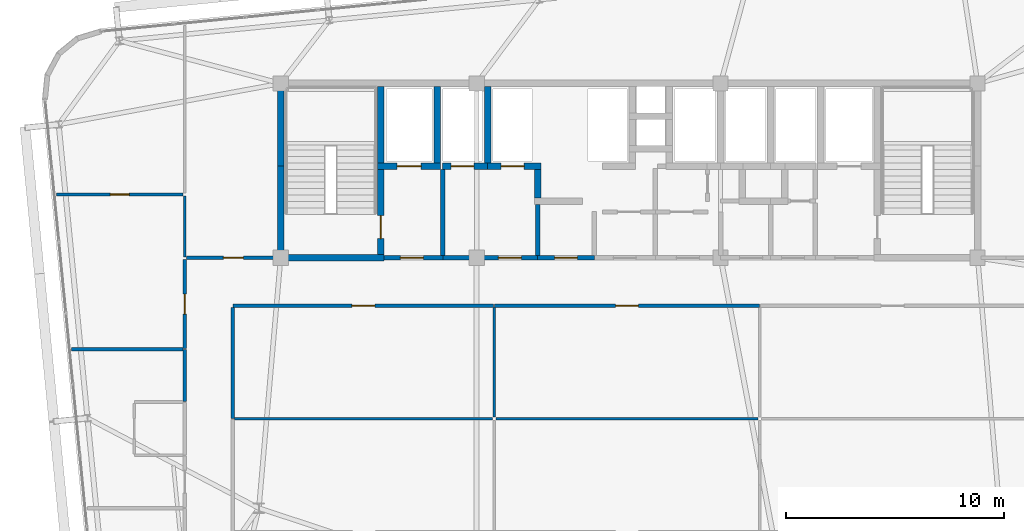
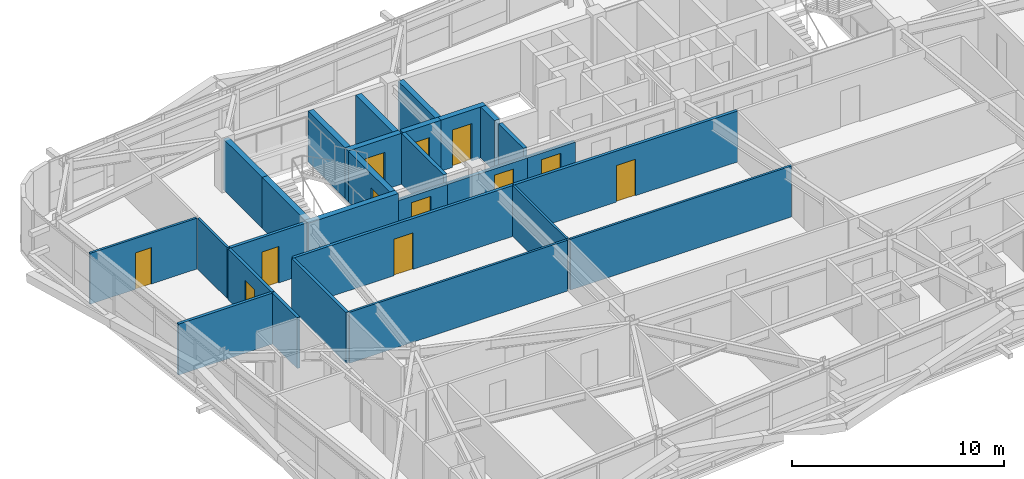
# One storey, part 47 of 54: 28 walls, 12 doors, 12 openings.
"""IFC4 building model written with IfcOpenShell, lengths in metres."""

from ifc_helpers import new_model, si_unit, direction, frame, frame_2d, origin, place, context, subcontext, project, spatial, rectangle, extrude, source, transform, mapped, material, layer, layer_set, type_object, element, fill, save


model = new_model("IFC4")

# Units and contexts
model_context = context("Model", 3, precision=1e-05, world=origin(), true_north=direction((0.0, 1.0)))
body_context = subcontext(model_context, "Body", "Model", "MODEL_VIEW")
ifc_project = project(units=[si_unit("LENGTHUNIT", "METRE"), si_unit("AREAUNIT", "SQUARE_METRE"), si_unit("VOLUMEUNIT", "CUBIC_METRE"), si_unit("PLANEANGLEUNIT", "RADIAN"), si_unit("MASSUNIT", "GRAM", prefix="KILO")], contexts=[model_context])

# Site, building, storey
site_placement = place(None, origin())
site = spatial("IfcSite", under=ifc_project, at=site_placement, CompositionType="ELEMENT")
building_placement = place(site_placement, origin())
building = spatial("IfcBuilding", under=site, at=building_placement, Name="Taldren Reach Tower", CompositionType="ELEMENT")
storey_placement = place(building_placement, frame((0.0, 0.0, 99.75)))
storey = spatial("IfcBuildingStorey", under=building, at=storey_placement, Name="L30", CompositionType="ELEMENT", Elevation=99.75)

# Wall, opening, door
ifc_material_1 = material(Name="Concrete S50 (50 MPa)", Category="concrete")
ifc_layer_1 = layer(ifc_material_1, 0.199951171875)
ifc_layer_set_1 = layer_set([ifc_layer_1], Name="Concrete S50 (50 MPa)")
wall_type_1 = type_object("IfcWallType", Name="IW-CORE-200", PredefinedType="SOLIDWALL", material=ifc_layer_set_1)
shared_shape_1 = source(origin(), body_context, "Body", "SweptSolid", [
    extrude(rectangle(XDim=4.35009765625, YDim=0.199951171875, at=frame_2d((2.175048828125, 0.0))), origin(), (0.0, 0.0, 1.0), 2.469970703125),
])
wall_1_placement = place(storey_placement, frame((30.800048828125, 24.0, 0.0), z_axis=(0.0, 0.0, 1.0), x_axis=(-1.0, 0.0, 0.0)))
wall_1 = element("IfcWall", 1, at=wall_1_placement, inside=storey, type_object=wall_type_1, Name="Rear Core Shear Wall W-INT-L30-034", PredefinedType="SOLIDWALL", context=body_context, shape_type="MappedRepresentation", body=[
    mapped(shared_shape_1, transform((0.0, 0.0, 0.0), scale=1.0)),
])
shared_shape_2 = source(origin(), body_context, "Body", "SweptSolid", [
    extrude(rectangle(XDim=1.050048828125, YDim=2.10009765625, at=frame_2d((0.52490234375, 1.050048828125))), frame((0.0, 0.10986328125, 0.0), z_axis=(0.0, -1.0, 0.0), x_axis=(1.0, 0.0, 0.0)), (0.0, 0.0, 1.0), 0.219970703125),
])
opening_1_placement = place(wall_1_placement, frame((0.75, 0.0, 0.0)))
opening_1 = element("IfcOpeningElement", 2, at=opening_1_placement, cuts=wall_1, Name="Opening DF-105", PredefinedType="OPENING", context=body_context, shape_type="MappedRepresentation", body=[
    mapped(shared_shape_2, transform((0.0, 0.0, 0.0), scale=1.0)),
])
ifc_material_2 = material(Name="Fire-Rated Care and Stair Exit Door")
door_type_1 = type_object("IfcDoorType", Name="ID-FIRE-105", OperationType="NOTDEFINED", PredefinedType="DOOR", material=ifc_material_2)
shared_shape_3 = source(origin(), body_context, "Body", "SweptSolid", [
    extrude(rectangle(XDim=1.050048828125, YDim=2.10009765625, at=frame_2d((0.52490234375, 1.050048828125))), frame((0.0, 0.02490234375, 0.0), z_axis=(0.0, -1.0, 0.0), x_axis=(1.0, 0.0, 0.0)), (0.0, 0.0, 1.0), 0.050048828125),
])
door_1_placement = place(opening_1_placement, frame((1.050048828125, 0.0, 0.0), z_axis=(0.0, 0.0, 1.0), x_axis=(-1.0, 0.0, 0.0)))
door_1 = element("IfcDoor", 3, at=door_1_placement, inside=storey, type_object=door_type_1, Name="Interior Door DR-L30-005", OperationType="SINGLE_SWING_RIGHT", OverallHeight=2.10009765625, OverallWidth=1.050048828125, PredefinedType="DOOR", context=body_context, shape_type="MappedRepresentation", body=[
    mapped(shared_shape_3, transform((0.0, 0.0, 0.0), scale=1.0)),
])
fill(opening_1, door_1)

# Walls
ifc_material_3 = material(Name="Fire-Rated Acoustic Plasterboard Stud Wall", Category="gypsum")
ifc_layer_2 = layer(ifc_material_3, 0.159912109375)
ifc_layer_set_2 = layer_set([ifc_layer_2], Name="Fire-Rated Acoustic Plasterboard Stud Wall")
wall_type_2 = type_object("IfcWallType", Name="IW-FIRE-160", PredefinedType="PARTITIONING", material=ifc_layer_set_2)
shared_shape_4 = source(origin(), body_context, "Body", "SweptSolid", [
    extrude(rectangle(XDim=5.099853515625, YDim=0.159912109375, at=frame_2d((2.5498046875, 0.0))), origin(), (0.0, 0.0, 1.0), 2.929931640625),
])
wall_2_placement = place(storey_placement, frame((16.800048828125, 21.719970703125, 0.0), z_axis=(0.0, 0.0, 1.0), x_axis=(0.0, -1.0, 0.0)))
element("IfcWall", 4, at=wall_2_placement, inside=storey, type_object=wall_type_2, Name="Interior Partition Wall W-INT-L30-062", PredefinedType="PARTITIONING", context=body_context, shape_type="MappedRepresentation", body=[
    mapped(shared_shape_4, transform((0.0, 0.0, 0.0), scale=1.0)),
])
ifc_material_4 = material(Name="Insulated Residential Stud Partition", Category="gypsum")
ifc_layer_3 = layer(ifc_material_4, 0.1201171875)
ifc_layer_set_3 = layer_set([ifc_layer_3], Name="Insulated Residential Stud Partition")
wall_type_3 = type_object("IfcWallType", Name="IW-PART-120", PredefinedType="PARTITIONING", material=ifc_layer_set_3)
shared_shape_5 = source(origin(), body_context, "Body", "SweptSolid", [
    extrude(rectangle(XDim=5.0400390625, YDim=0.1201171875, at=frame_2d((2.52001953125, 0.0))), origin(), (0.0, 0.0, 1.0), 2.929931640625),
])
wall_3_placement = place(storey_placement, frame((28.800048828125, 21.719970703125, 0.0), z_axis=(0.0, 0.0, 1.0), x_axis=(0.0, -1.0, 0.0)))
element("IfcWall", 5, at=wall_3_placement, inside=storey, type_object=wall_type_3, Name="Interior Partition Wall W-INT-L30-092", PredefinedType="PARTITIONING", context=body_context, shape_type="MappedRepresentation", body=[
    mapped(shared_shape_5, transform((0.0, 0.0, 0.0), scale=1.0)),
])

# Wall, opening, door
shared_shape_6 = source(origin(), body_context, "Body", "SweptSolid", [
    extrude(rectangle(XDim=2.599853515625, YDim=0.199951171875, at=frame_2d((1.2998046875, 0.0))), origin(), (0.0, 0.0, 1.0), 2.469970703125),
])
wall_4_placement = place(storey_placement, frame((33.39990234375, 24.0, 0.0), z_axis=(0.0, 0.0, 1.0), x_axis=(-1.0, 0.0, 0.0)))
wall_4 = element("IfcWall", 6, at=wall_4_placement, inside=storey, type_object=wall_type_1, Name="Rear Core Shear Wall W-INT-L30-045", PredefinedType="SOLIDWALL", context=body_context, shape_type="MappedRepresentation", body=[
    mapped(shared_shape_6, transform((0.0, 0.0, 0.0), scale=1.0)),
])
opening_2_placement = place(wall_4_placement, frame((0.77490234375, 0.0, 0.0)))
opening_2 = element("IfcOpeningElement", 7, at=opening_2_placement, cuts=wall_4, Name="Opening DF-105", PredefinedType="OPENING", context=body_context, shape_type="MappedRepresentation", body=[
    mapped(shared_shape_2, transform((0.0, 0.0, 0.0), scale=1.0)),
])
door_2_placement = place(opening_2_placement, frame((1.050048828125, 0.0, 0.0), z_axis=(0.0, 0.0, 1.0), x_axis=(-1.0, 0.0, 0.0)))
door_2 = element("IfcDoor", 8, at=door_2_placement, inside=storey, type_object=door_type_1, Name="Interior Door DR-L30-006", OperationType="SINGLE_SWING_RIGHT", OverallHeight=2.10009765625, OverallWidth=1.050048828125, PredefinedType="DOOR", context=body_context, shape_type="MappedRepresentation", body=[
    mapped(shared_shape_3, transform((0.0, 0.0, 0.0), scale=1.0)),
])
fill(opening_2, door_2)

shared_shape_7 = source(origin(), body_context, "Body", "SweptSolid", [
    extrude(rectangle(XDim=12.159423828125, YDim=0.159912109375, at=frame_2d((6.07958984375, 0.0))), origin(), (0.0, 0.0, 1.0), 2.929931640625),
])
wall_5_placement = place(storey_placement, frame((40.979736328125, 21.800048828125, 0.0), z_axis=(0.0, 0.0, 1.0), x_axis=(-1.0, 0.0, 0.0)))
wall_5 = element("IfcWall", 9, at=wall_5_placement, inside=storey, type_object=wall_type_2, Name="Interior Partition Wall W-INT-L30-063", PredefinedType="PARTITIONING", context=body_context, shape_type="MappedRepresentation", body=[
    mapped(shared_shape_7, transform((0.0, 0.0, 0.0), scale=1.0)),
])
shared_shape_8 = source(origin(), body_context, "Body", "SweptSolid", [
    extrude(rectangle(XDim=1.050048828125, YDim=2.10009765625, at=frame_2d((0.52490234375, 1.050048828125))), frame((0.0, 0.08984375, 0.0), z_axis=(0.0, -1.0, 0.0), x_axis=(1.0, 0.0, 0.0)), (0.0, 0.0, 1.0), 0.179931640625),
])
opening_3_placement = place(wall_5_placement, frame((5.5546875, 0.0, 0.0)))
opening_3 = element("IfcOpeningElement", 10, at=opening_3_placement, cuts=wall_5, Name="Opening DF-105", PredefinedType="OPENING", context=body_context, shape_type="MappedRepresentation", body=[
    mapped(shared_shape_8, transform((0.0, 0.0, 0.0), scale=1.0)),
])
door_3_placement = place(opening_3_placement, origin())
door_3 = element("IfcDoor", 11, at=door_3_placement, inside=storey, type_object=door_type_1, Name="Interior Door DR-L30-015", OperationType="SINGLE_SWING_RIGHT", OverallHeight=2.10009765625, OverallWidth=1.050048828125, PredefinedType="DOOR", context=body_context, shape_type="MappedRepresentation", body=[
    mapped(shared_shape_3, transform((0.0, 0.0, 0.0), scale=1.0)),
])
fill(opening_3, door_3)

# Wall
shared_shape_9 = source(origin(), body_context, "Body", "SweptSolid", [
    extrude(rectangle(XDim=12.0400390625, YDim=0.1201171875, at=frame_2d((6.02001953125, 0.0))), origin(), (0.0, 0.0, 1.0), 2.929931640625),
])
wall_6_placement = place(storey_placement, frame((28.8798828125, 16.60009765625, 0.0), z_axis=(0.0, 0.0, 1.0), x_axis=(1.0, 0.0, 0.0)))
element("IfcWall", 12, at=wall_6_placement, inside=storey, type_object=wall_type_3, Name="Interior Partition Wall W-INT-L30-093", PredefinedType="PARTITIONING", context=body_context, shape_type="MappedRepresentation", body=[
    mapped(shared_shape_9, transform((0.0, 0.0, 0.0), scale=1.0)),
])

# Wall, opening, door
shared_shape_10 = source(origin(), body_context, "Body", "SweptSolid", [
    extrude(rectangle(XDim=11.95947265625, YDim=0.159912109375, at=frame_2d((5.979736328125, 0.0))), origin(), (0.0, 0.0, 1.0), 2.929931640625),
])
wall_7_placement = place(storey_placement, frame((28.77978515625, 21.800048828125, 0.0), z_axis=(0.0, 0.0, 1.0), x_axis=(-1.0, 0.0, 0.0)))
wall_7 = element("IfcWall", 13, at=wall_7_placement, inside=storey, type_object=wall_type_2, Name="Interior Partition Wall W-INT-L30-061", PredefinedType="PARTITIONING", context=body_context, shape_type="MappedRepresentation", body=[
    mapped(shared_shape_10, transform((0.0, 0.0, 0.0), scale=1.0)),
])
opening_4_placement = place(wall_7_placement, frame((5.454833984375, 0.0, 0.0)))
opening_4 = element("IfcOpeningElement", 14, at=opening_4_placement, cuts=wall_7, Name="Opening DF-105", PredefinedType="OPENING", context=body_context, shape_type="MappedRepresentation", body=[
    mapped(shared_shape_8, transform((0.0, 0.0, 0.0), scale=1.0)),
])
door_4_placement = place(opening_4_placement, origin())
door_4 = element("IfcDoor", 15, at=door_4_placement, inside=storey, type_object=door_type_1, Name="Interior Door DR-L30-014", OperationType="SINGLE_SWING_LEFT", OverallHeight=2.10009765625, OverallWidth=1.050048828125, PredefinedType="DOOR", context=body_context, shape_type="MappedRepresentation", body=[
    mapped(shared_shape_3, transform((0.0, 0.0, 0.0), scale=1.0)),
])
fill(opening_4, door_4)

# Walls
shared_shape_11 = source(origin(), body_context, "Body", "SweptSolid", [
    extrude(rectangle(XDim=11.840087890625, YDim=0.1201171875, at=frame_2d((5.919921875, 0.0))), origin(), (0.0, 0.0, 1.0), 2.929931640625),
])
wall_8_placement = place(storey_placement, frame((16.8798828125, 16.60009765625, 0.0), z_axis=(0.0, 0.0, 1.0), x_axis=(1.0, 0.0, 0.0)))
element("IfcWall", 16, at=wall_8_placement, inside=storey, type_object=wall_type_3, Name="Interior Partition Wall W-INT-L30-090", PredefinedType="PARTITIONING", context=body_context, shape_type="MappedRepresentation", body=[
    mapped(shared_shape_11, transform((0.0, 0.0, 0.0), scale=1.0)),
])
ifc_material_5 = material(Name="Concrete S65 (65 MPa)", Category="concrete")
ifc_layer_4 = layer(ifc_material_5, 0.300048828125)
ifc_layer_set_4 = layer_set([ifc_layer_4], Name="Concrete S65 (65 MPa)")
wall_type_4 = type_object("IfcWallType", Name="IW-CORE-300", PredefinedType="SHEAR", material=ifc_layer_set_4)
shared_shape_12 = source(origin(), body_context, "Body", "SweptSolid", [
    extrude(rectangle(XDim=4.050048828125, YDim=0.300048828125, at=frame_2d((2.02490234375, 0.0))), origin(), (0.0, 0.0, 1.0), 2.929931640625),
])
wall_9_placement = place(storey_placement, frame((19.0, 24.14990234375, 0.0), z_axis=(0.0, 0.0, 1.0), x_axis=(0.0, 1.0, 0.0)))
element("IfcWall", 17, at=wall_9_placement, inside=storey, type_object=wall_type_4, Name="Rear Core Shear Wall W-CORE-L30-WEST1", PredefinedType="SHEAR", context=body_context, shape_type="MappedRepresentation", body=[
    mapped(shared_shape_12, transform((0.0, 0.0, 0.0), scale=1.0)),
])
shared_shape_13 = source(origin(), body_context, "Body", "SweptSolid", [
    extrude(rectangle(XDim=3.650146484375, YDim=0.300048828125, at=frame_2d((1.8251953125, 0.0))), origin(), (0.0, 0.0, 1.0), 2.929931640625),
])
wall_10_placement = place(storey_placement, frame((19.0, 28.199951171875, 0.0), z_axis=(0.0, 0.0, 1.0), x_axis=(0.0, 1.0, 0.0)))
element("IfcWall", 18, at=wall_10_placement, inside=storey, type_object=wall_type_4, Name="Rear Core Shear Wall W-CORE-L30-WEST2", PredefinedType="SHEAR", context=body_context, shape_type="MappedRepresentation", body=[
    mapped(shared_shape_13, transform((0.0, 0.0, 0.0), scale=1.0)),
])
shared_shape_14 = source(origin(), body_context, "Body", "SweptSolid", [
    extrude(rectangle(XDim=3.5, YDim=0.300048828125, at=frame_2d((1.75, 0.0))), origin(), (0.0, 0.0, 1.0), 2.929931640625),
])
for number, where, z_axis, x_axis, name in (
    (19, (23.60009765625, 28.35009765625, 0.0), (0.0, 0.0, 1.0), (0.0, 1.0, 0.0), "Rear Core Shear Wall W-INT-L30-001"),
    (20, (26.199951171875, 28.35009765625, 0.0), (0.0, 0.0, 1.0), (0.0, 1.0, 0.0), "Rear Core Shear Wall W-INT-L30-005"),
    (21, (28.5, 28.35009765625, 0.0), (0.0, 0.0, 1.0), (0.0, 1.0, 0.0), "Rear Core Shear Wall W-INT-L30-030"),
):
    element("IfcWall", number, at=place(storey_placement, frame(where, z_axis=z_axis, x_axis=x_axis)), inside=storey, type_object=wall_type_4, Name=name, PredefinedType="SHEAR", context=body_context, shape_type="MappedRepresentation", body=[
        mapped(shared_shape_14, transform((0.0, 0.0, 0.0), scale=1.0)),
    ])

# Wall, opening, door
shared_shape_15 = source(origin(), body_context, "Body", "SweptSolid", [
    extrude(rectangle(XDim=3.900146484375, YDim=0.300048828125, at=frame_2d((1.9501953125, 0.0))), origin(), (0.0, 0.0, 1.0), 2.929931640625),
])
wall_11_placement = place(storey_placement, frame((23.60009765625, 24.14990234375, 0.0), z_axis=(0.0, 0.0, 1.0), x_axis=(0.0, 1.0, 0.0)))
wall_11 = element("IfcWall", 22, at=wall_11_placement, inside=storey, type_object=wall_type_4, Name="Rear Core Shear Wall W-INT-L30-002", PredefinedType="SHEAR", context=body_context, shape_type="MappedRepresentation", body=[
    mapped(shared_shape_15, transform((0.0, 0.0, 0.0), scale=1.0)),
])
shared_shape_16 = source(origin(), body_context, "Body", "SweptSolid", [
    extrude(rectangle(XDim=1.050048828125, YDim=2.10009765625, at=frame_2d((0.52490234375, 1.050048828125))), frame((0.0, 0.16015625, 0.0), z_axis=(0.0, -1.0, 0.0), x_axis=(1.0, 0.0, 0.0)), (0.0, 0.0, 1.0), 0.320068359375),
])
opening_5_placement = place(wall_11_placement, frame((0.72509765625, 0.0, 0.0)))
opening_5 = element("IfcOpeningElement", 23, at=opening_5_placement, cuts=wall_11, Name="Opening DF-105", PredefinedType="OPENING", context=body_context, shape_type="MappedRepresentation", body=[
    mapped(shared_shape_16, transform((0.0, 0.0, 0.0), scale=1.0)),
])
door_5_placement = place(opening_5_placement, origin())
door_5 = element("IfcDoor", 24, at=door_5_placement, inside=storey, type_object=door_type_1, Name="Fire Exit Stair Door DR-L30-001", OperationType="SINGLE_SWING_LEFT", OverallHeight=2.10009765625, OverallWidth=1.050048828125, PredefinedType="DOOR", context=body_context, shape_type="MappedRepresentation", body=[
    mapped(shared_shape_3, transform((0.0, 0.0, 0.0), scale=1.0)),
])
fill(opening_5, door_5)

# Wall
shared_shape_17 = source(origin(), body_context, "Body", "SweptSolid", [
    extrude(rectangle(XDim=4.89990234375, YDim=0.300048828125, at=frame_2d((2.449951171875, 0.0))), origin(), (0.0, 0.0, 1.0), 2.929931640625),
])
wall_12_placement = place(storey_placement, frame((18.85009765625, 24.0, 0.0), z_axis=(0.0, 0.0, 1.0), x_axis=(1.0, 0.0, 0.0)))
element("IfcWall", 25, at=wall_12_placement, inside=storey, type_object=wall_type_4, Name="Rear Core Shear Wall W-INT-L30-003", PredefinedType="SHEAR", context=body_context, shape_type="MappedRepresentation", body=[
    mapped(shared_shape_17, transform((0.0, 0.0, 0.0), scale=1.0)),
])

# Wall, opening, door
shared_shape_18 = source(origin(), body_context, "Body", "SweptSolid", [
    extrude(rectangle(XDim=2.900146484375, YDim=0.300048828125, at=frame_2d((1.4501953125, 0.0))), origin(), (0.0, 0.0, 1.0), 2.929931640625),
])
wall_13_placement = place(storey_placement, frame((23.449951171875, 28.199951171875, 0.0), z_axis=(0.0, 0.0, 1.0), x_axis=(1.0, 0.0, 0.0)))
wall_13 = element("IfcWall", 26, at=wall_13_placement, inside=storey, type_object=wall_type_4, Name="Rear Core Shear Wall W-INT-L30-004", PredefinedType="SHEAR", context=body_context, shape_type="MappedRepresentation", body=[
    mapped(shared_shape_18, transform((0.0, 0.0, 0.0), scale=1.0)),
])
shared_shape_19 = source(origin(), body_context, "Body", "SweptSolid", [
    extrude(rectangle(XDim=1.10009765625, YDim=2.14990234375, at=frame_2d((0.550048828125, 1.074951171875))), frame((0.0, 0.16015625, 0.0), z_axis=(0.0, -1.0, 0.0), x_axis=(1.0, 0.0, 0.0)), (0.0, 0.0, 1.0), 0.320068359375),
])
opening_6_placement = place(wall_13_placement, frame((0.89990234375, 0.0, 0.0)))
opening_6 = element("IfcOpeningElement", 27, at=opening_6_placement, cuts=wall_13, Name="Opening LD-FL1", PredefinedType="OPENING", context=body_context, shape_type="MappedRepresentation", body=[
    mapped(shared_shape_19, transform((0.0, 0.0, 0.0), scale=1.0)),
])
ifc_material_6 = material(Name="Stainless Steel Gr 316 Emergency Lift Landing Door", Category="steel")
door_type_2 = type_object("IfcDoorType", Name="LD-EMG-110", OperationType="SLIDING_TO_LEFT", PredefinedType="DOOR", material=ifc_material_6)
shared_shape_20 = source(origin(), body_context, "Body", "SweptSolid", [
    extrude(rectangle(XDim=1.10009765625, YDim=2.14990234375, at=frame_2d((0.550048828125, 1.074951171875))), frame((0.0, 0.02490234375, 0.0), z_axis=(0.0, -1.0, 0.0), x_axis=(1.0, 0.0, 0.0)), (0.0, 0.0, 1.0), 0.050048828125),
])
door_6_placement = place(opening_6_placement, origin())
door_6 = element("IfcDoor", 28, at=door_6_placement, inside=storey, type_object=door_type_2, Name="Lift Landing Door LD-FL1-L30", OperationType="SLIDING_TO_LEFT", OverallHeight=2.14990234375, OverallWidth=1.10009765625, PredefinedType="DOOR", context=body_context, shape_type="MappedRepresentation", body=[
    mapped(shared_shape_20, transform((0.0, 0.0, 0.0), scale=1.0)),
])
fill(opening_6, door_6)

# Wall
shared_shape_21 = source(origin(), body_context, "Body", "SweptSolid", [
    extrude(rectangle(XDim=3.949951171875, YDim=0.199951171875, at=frame_2d((1.97509765625, 0.0))), origin(), (0.0, 0.0, 1.0), 2.929931640625),
])
wall_14_placement = place(storey_placement, frame((26.449951171875, 24.10009765625, 0.0), z_axis=(0.0, 0.0, 1.0), x_axis=(0.0, 1.0, 0.0)))
element("IfcWall", 29, at=wall_14_placement, inside=storey, type_object=wall_type_1, Name="Rear Core Shear Wall W-INT-L30-006", PredefinedType="SOLIDWALL", context=body_context, shape_type="MappedRepresentation", body=[
    mapped(shared_shape_21, transform((0.0, 0.0, 0.0), scale=1.0)),
])

# Wall, opening, door
shared_shape_22 = source(origin(), body_context, "Body", "SweptSolid", [
    extrude(rectangle(XDim=2.699951171875, YDim=0.199951171875, at=frame_2d((1.35009765625, 0.0))), origin(), (0.0, 0.0, 1.0), 2.469970703125),
])
wall_15_placement = place(storey_placement, frame((23.75, 24.0, 0.0), z_axis=(0.0, 0.0, 1.0), x_axis=(1.0, 0.0, 0.0)))
wall_15 = element("IfcWall", 30, at=wall_15_placement, inside=storey, type_object=wall_type_1, Name="Rear Core Shear Wall W-INT-L30-007", PredefinedType="SOLIDWALL", context=body_context, shape_type="MappedRepresentation", body=[
    mapped(shared_shape_22, transform((0.0, 0.0, 0.0), scale=1.0)),
])
opening_7_placement = place(wall_15_placement, frame((0.75, 0.0, 0.0)))
opening_7 = element("IfcOpeningElement", 31, at=opening_7_placement, cuts=wall_15, Name="Opening DF-105", PredefinedType="OPENING", context=body_context, shape_type="MappedRepresentation", body=[
    mapped(shared_shape_2, transform((0.0, 0.0, 0.0), scale=1.0)),
])
door_7_placement = place(opening_7_placement, origin())
door_7 = element("IfcDoor", 32, at=door_7_placement, inside=storey, type_object=door_type_1, Name="Interior Door DR-L30-002", OperationType="SINGLE_SWING_LEFT", OverallHeight=2.10009765625, OverallWidth=1.050048828125, PredefinedType="DOOR", context=body_context, shape_type="MappedRepresentation", body=[
    mapped(shared_shape_3, transform((0.0, 0.0, 0.0), scale=1.0)),
])
fill(opening_7, door_7)

# Wall
shared_shape_23 = source(origin(), body_context, "Body", "SweptSolid", [
    extrude(rectangle(XDim=1.300048828125, YDim=0.300048828125, at=frame_2d((0.64990234375, 0.0))), origin(), (0.0, 0.0, 1.0), 2.929931640625),
])
wall_16_placement = place(storey_placement, frame((30.800048828125, 28.050048828125, 0.0), z_axis=(0.0, 0.0, 1.0), x_axis=(0.0, -1.0, 0.0)))
element("IfcWall", 33, at=wall_16_placement, inside=storey, type_object=wall_type_4, Name="Rear Core Shear Wall W-INT-L30-022", PredefinedType="SHEAR", context=body_context, shape_type="MappedRepresentation", body=[
    mapped(shared_shape_23, transform((0.0, 0.0, 0.0), scale=1.0)),
])

# Wall, opening, door
shared_shape_24 = source(origin(), body_context, "Body", "SweptSolid", [
    extrude(rectangle(XDim=2.070068359375, YDim=0.300048828125, at=frame_2d((1.03515625, 0.0))), origin(), (0.0, 0.0, 1.0), 2.929931640625),
])
wall_17_placement = place(storey_placement, frame((26.429931640625, 28.199951171875, 0.0), z_axis=(0.0, 0.0, 1.0), x_axis=(1.0, 0.0, 0.0)))
wall_17 = element("IfcWall", 34, at=wall_17_placement, inside=storey, type_object=wall_type_4, Name="Rear Core Shear Wall W-INT-L30-031", PredefinedType="SHEAR", context=body_context, shape_type="MappedRepresentation", body=[
    mapped(shared_shape_24, transform((0.0, 0.0, 0.0), scale=1.0)),
])
shared_shape_25 = source(origin(), body_context, "Body", "SweptSolid", [
    extrude(rectangle(XDim=1.050048828125, YDim=2.14990234375, at=frame_2d((0.52490234375, 1.074951171875))), frame((0.0, 0.16015625, 0.0), z_axis=(0.0, -1.0, 0.0), x_axis=(1.0, 0.0, 0.0)), (0.0, 0.0, 1.0), 0.320068359375),
])
opening_8_placement = place(wall_17_placement, frame((0.39501953125, 0.0, 0.0)))
opening_8 = element("IfcOpeningElement", 35, at=opening_8_placement, cuts=wall_17, Name="Opening LD-PL1", PredefinedType="OPENING", context=body_context, shape_type="MappedRepresentation", body=[
    mapped(shared_shape_25, transform((0.0, 0.0, 0.0), scale=1.0)),
])
ifc_material_7 = material(Name="Stainless Steel Gr 316 Passenger Lift Landing Door", Category="steel")
door_type_3 = type_object("IfcDoorType", Name="LD-PAS-105", OperationType="SLIDING_TO_LEFT", PredefinedType="DOOR", material=ifc_material_7)
shared_shape_26 = source(origin(), body_context, "Body", "SweptSolid", [
    extrude(rectangle(XDim=1.050048828125, YDim=2.14990234375, at=frame_2d((0.52490234375, 1.074951171875))), frame((0.0, 0.02490234375, 0.0), z_axis=(0.0, -1.0, 0.0), x_axis=(1.0, 0.0, 0.0)), (0.0, 0.0, 1.0), 0.050048828125),
])
door_8_placement = place(opening_8_placement, origin())
door_8 = element("IfcDoor", 36, at=door_8_placement, inside=storey, type_object=door_type_3, Name="Lift Landing Door LD-PL1-L30", OperationType="SLIDING_TO_LEFT", OverallHeight=2.14990234375, OverallWidth=1.050048828125, PredefinedType="DOOR", context=body_context, shape_type="MappedRepresentation", body=[
    mapped(shared_shape_26, transform((0.0, 0.0, 0.0), scale=1.0)),
])
fill(opening_8, door_8)

shared_shape_27 = source(origin(), body_context, "Body", "SweptSolid", [
    extrude(rectangle(XDim=2.449951171875, YDim=0.300048828125, at=frame_2d((1.22509765625, 0.0))), origin(), (0.0, 0.0, 1.0), 2.929931640625),
])
wall_18_placement = place(storey_placement, frame((28.5, 28.199951171875, 0.0), z_axis=(0.0, 0.0, 1.0), x_axis=(1.0, 0.0, 0.0)))
wall_18 = element("IfcWall", 37, at=wall_18_placement, inside=storey, type_object=wall_type_4, Name="Rear Core Shear Wall W-INT-L30-032", PredefinedType="SHEAR", context=body_context, shape_type="MappedRepresentation", body=[
    mapped(shared_shape_27, transform((0.0, 0.0, 0.0), scale=1.0)),
])
opening_9_placement = place(wall_18_placement, frame((0.625, 0.0, 0.0)))
opening_9 = element("IfcOpeningElement", 38, at=opening_9_placement, cuts=wall_18, Name="Opening LD-PL2", PredefinedType="OPENING", context=body_context, shape_type="MappedRepresentation", body=[
    mapped(shared_shape_25, transform((0.0, 0.0, 0.0), scale=1.0)),
])
door_9_placement = place(opening_9_placement, origin())
door_9 = element("IfcDoor", 39, at=door_9_placement, inside=storey, type_object=door_type_3, Name="Lift Landing Door LD-PL2-L30", OperationType="SLIDING_TO_LEFT", OverallHeight=2.14990234375, OverallWidth=1.050048828125, PredefinedType="DOOR", context=body_context, shape_type="MappedRepresentation", body=[
    mapped(shared_shape_26, transform((0.0, 0.0, 0.0), scale=1.0)),
])
fill(opening_9, door_9)

# Wall
shared_shape_28 = source(origin(), body_context, "Body", "SweptSolid", [
    extrude(rectangle(XDim=2.349853515625, YDim=0.199951171875, at=frame_2d((1.1748046875, 0.0))), origin(), (0.0, 0.0, 1.0), 2.929931640625),
])
wall_19_placement = place(storey_placement, frame((30.800048828125, 26.449951171875, 0.0), z_axis=(0.0, 0.0, 1.0), x_axis=(0.0, -1.0, 0.0)))
element("IfcWall", 40, at=wall_19_placement, inside=storey, type_object=wall_type_1, Name="Rear Core Shear Wall W-INT-L30-033", PredefinedType="SOLIDWALL", context=body_context, shape_type="MappedRepresentation", body=[
    mapped(shared_shape_28, transform((0.0, 0.0, 0.0), scale=1.0)),
])

# Wall, opening, door
shared_shape_29 = source(origin(), body_context, "Body", "SweptSolid", [
    extrude(rectangle(XDim=4.170166015625, YDim=0.159912109375, at=frame_2d((2.0849609375, 0.0))), origin(), (0.0, 0.0, 1.0), 2.929931640625),
])
wall_20_placement = place(storey_placement, frame((14.679931640625, 24.0, 0.0), z_axis=(0.0, 0.0, 1.0), x_axis=(1.0, 0.0, 0.0)))
wall_20 = element("IfcWall", 41, at=wall_20_placement, inside=storey, type_object=wall_type_2, Name="Interior Partition Wall W-INT-L30-076", PredefinedType="PARTITIONING", context=body_context, shape_type="MappedRepresentation", body=[
    mapped(shared_shape_29, transform((0.0, 0.0, 0.0), scale=1.0)),
])
shared_shape_30 = source(origin(), body_context, "Body", "SweptSolid", [
    extrude(rectangle(XDim=0.919921875, YDim=2.10009765625, at=frame_2d((0.4599609375, 1.050048828125))), frame((0.0, 0.08984375, 0.0), z_axis=(0.0, -1.0, 0.0), x_axis=(1.0, 0.0, 0.0)), (0.0, 0.0, 1.0), 0.179931640625),
])
opening_10_placement = place(wall_20_placement, frame((1.68994140625, 0.0, 0.0)))
opening_10 = element("IfcOpeningElement", 42, at=opening_10_placement, cuts=wall_20, Name="Opening DI-092", PredefinedType="OPENING", context=body_context, shape_type="MappedRepresentation", body=[
    mapped(shared_shape_30, transform((0.0, 0.0, 0.0), scale=1.0)),
])
ifc_material_8 = material(Name="Solid-Core Timber Suite Door", Category="wood")
door_type_4 = type_object("IfcDoorType", Name="ID-INT-092", OperationType="NOTDEFINED", PredefinedType="DOOR", material=ifc_material_8)
shared_shape_31 = source(origin(), body_context, "Body", "SweptSolid", [
    extrude(rectangle(XDim=0.919921875, YDim=2.10009765625, at=frame_2d((0.4599609375, 1.050048828125))), frame((0.0, 0.02490234375, 0.0), z_axis=(0.0, -1.0, 0.0), x_axis=(1.0, 0.0, 0.0)), (0.0, 0.0, 1.0), 0.050048828125),
])
door_10_placement = place(opening_10_placement, origin())
door_10 = element("IfcDoor", 43, at=door_10_placement, inside=storey, type_object=door_type_4, Name="Interior Door DR-L30-024", OperationType="SINGLE_SWING_LEFT", OverallHeight=2.10009765625, OverallWidth=0.919921875, PredefinedType="DOOR", context=body_context, shape_type="MappedRepresentation", body=[
    mapped(shared_shape_31, transform((0.0, 0.0, 0.0), scale=1.0)),
])
fill(opening_10, door_10)

# Wall
shared_shape_32 = source(origin(), body_context, "Body", "SweptSolid", [
    extrude(rectangle(XDim=2.384521484375, YDim=0.159912109375, at=frame_2d((1.1923828125, 0.0))), origin(), (0.0, 0.0, 1.0), 2.929931640625),
])
wall_21_placement = place(storey_placement, frame((14.60009765625, 17.395263671875, 0.0), z_axis=(0.0, 0.0, 1.0), x_axis=(0.0, 1.0, 0.0)))
element("IfcWall", 44, at=wall_21_placement, inside=storey, type_object=wall_type_2, Name="Interior Partition Wall W-INT-L30-071", PredefinedType="PARTITIONING", context=body_context, shape_type="MappedRepresentation", body=[
    mapped(shared_shape_32, transform((0.0, 0.0, 0.0), scale=1.0)),
])

# Wall, opening, door
shared_shape_33 = source(origin(), body_context, "Body", "SweptSolid", [
    extrude(rectangle(XDim=4.099609375, YDim=0.159912109375, at=frame_2d((2.0498046875, 0.0))), origin(), (0.0, 0.0, 1.0), 2.929931640625),
])
wall_22_placement = place(storey_placement, frame((14.60009765625, 19.8203125, 0.0), z_axis=(0.0, 0.0, 1.0), x_axis=(0.0, 1.0, 0.0)))
wall_22 = element("IfcWall", 45, at=wall_22_placement, inside=storey, type_object=wall_type_2, Name="Interior Partition Wall W-INT-L30-073", PredefinedType="PARTITIONING", context=body_context, shape_type="MappedRepresentation", body=[
    mapped(shared_shape_33, transform((0.0, 0.0, 0.0), scale=1.0)),
])
opening_11_placement = place(wall_22_placement, frame((1.58984375, 0.0, 0.0)))
opening_11 = element("IfcOpeningElement", 46, at=opening_11_placement, cuts=wall_22, Name="Opening DI-092", PredefinedType="OPENING", context=body_context, shape_type="MappedRepresentation", body=[
    mapped(shared_shape_30, transform((0.0, 0.0, 0.0), scale=1.0)),
])
door_11_placement = place(opening_11_placement, origin())
door_11 = element("IfcDoor", 47, at=door_11_placement, inside=storey, type_object=door_type_4, Name="Interior Door DR-L30-021", OperationType="SINGLE_SWING_RIGHT", OverallHeight=2.10009765625, OverallWidth=0.919921875, PredefinedType="DOOR", context=body_context, shape_type="MappedRepresentation", body=[
    mapped(shared_shape_31, transform((0.0, 0.0, 0.0), scale=1.0)),
])
fill(opening_11, door_11)

# Wall
shared_shape_34 = source(origin(), body_context, "Body", "SweptSolid", [
    extrude(rectangle(XDim=5.1103515625, YDim=0.159912109375, at=frame_2d((2.55517578125, 0.0))), origin(), (0.0, 0.0, 1.0), 2.929931640625),
])
wall_23_placement = place(storey_placement, frame((9.40771484375, 19.800048828125, 0.0), z_axis=(0.0, 0.0, 1.0), x_axis=(1.0, 0.0, 0.0)))
element("IfcWall", 48, at=wall_23_placement, inside=storey, type_object=wall_type_2, Name="Interior Partition Wall W-INT-L30-134", PredefinedType="PARTITIONING", context=body_context, shape_type="MappedRepresentation", body=[
    mapped(shared_shape_34, transform((0.0, 0.0, 0.0), scale=1.0)),
])

# Wall, opening, door
shared_shape_35 = source(origin(), body_context, "Body", "SweptSolid", [
    extrude(rectangle(XDim=5.810546875, YDim=0.1201171875, at=frame_2d((2.9052734375, 0.0))), origin(), (0.0, 0.0, 1.0), 2.929931640625),
])
wall_24_placement = place(storey_placement, frame((8.70947265625, 26.89990234375, 0.0), z_axis=(0.0, 0.0, 1.0), x_axis=(1.0, 0.0, 0.0)))
wall_24 = element("IfcWall", 49, at=wall_24_placement, inside=storey, type_object=wall_type_3, Name="Interior Partition Wall W-INT-L30-135", PredefinedType="PARTITIONING", context=body_context, shape_type="MappedRepresentation", body=[
    mapped(shared_shape_35, transform((0.0, 0.0, 0.0), scale=1.0)),
])
shared_shape_36 = source(origin(), body_context, "Body", "SweptSolid", [
    extrude(rectangle(XDim=0.860107421875, YDim=2.10009765625, at=frame_2d((0.43017578125, 1.050048828125))), frame((0.0, 0.070068359375, 0.0), z_axis=(0.0, -1.0, 0.0), x_axis=(1.0, 0.0, 0.0)), (0.0, 0.0, 1.0), 0.14013671875),
])
opening_12_placement = place(wall_24_placement, frame((2.47509765625, 0.0, 0.0)))
opening_12 = element("IfcOpeningElement", 50, at=opening_12_placement, cuts=wall_24, Name="Opening DI-086", PredefinedType="OPENING", context=body_context, shape_type="MappedRepresentation", body=[
    mapped(shared_shape_36, transform((0.0, 0.0, 0.0), scale=1.0)),
])
ifc_material_9 = material(Name="Timber Bathroom Door", Category="wood")
door_type_5 = type_object("IfcDoorType", Name="ID-INT-086", OperationType="NOTDEFINED", PredefinedType="DOOR", material=ifc_material_9)
shared_shape_37 = source(origin(), body_context, "Body", "SweptSolid", [
    extrude(rectangle(XDim=0.860107421875, YDim=2.10009765625, at=frame_2d((0.43017578125, 1.050048828125))), frame((0.0, 0.02490234375, 0.0), z_axis=(0.0, -1.0, 0.0), x_axis=(1.0, 0.0, 0.0)), (0.0, 0.0, 1.0), 0.050048828125),
])
door_12_placement = place(opening_12_placement, frame((0.860107421875, 0.0, 0.0), z_axis=(0.0, 0.0, 1.0), x_axis=(-1.0, 0.0, 0.0)))
door_12 = element("IfcDoor", 51, at=door_12_placement, inside=storey, type_object=door_type_5, Name="Interior Door DR-L30-042", OperationType="SINGLE_SWING_RIGHT", OverallHeight=2.10009765625, OverallWidth=0.860107421875, PredefinedType="DOOR", context=body_context, shape_type="MappedRepresentation", body=[
    mapped(shared_shape_37, transform((0.0, 0.0, 0.0), scale=1.0)),
])
fill(opening_12, door_12)

# Wall
shared_shape_38 = source(origin(), body_context, "Body", "SweptSolid", [
    extrude(rectangle(XDim=2.7998046875, YDim=0.1201171875, at=frame_2d((1.39990234375, 0.0))), origin(), (0.0, 0.0, 1.0), 2.929931640625),
])
wall_25_placement = place(storey_placement, frame((14.60009765625, 26.820068359375, 0.0), z_axis=(0.0, 0.0, 1.0), x_axis=(0.0, -1.0, 0.0)))
element("IfcWall", 52, at=wall_25_placement, inside=storey, type_object=wall_type_3, Name="Interior Partition Wall W-INT-L30-136", PredefinedType="PARTITIONING", context=body_context, shape_type="MappedRepresentation", body=[
    mapped(shared_shape_38, transform((0.0, 0.0, 0.0), scale=1.0)),
])

save(model, "model.ifc")
